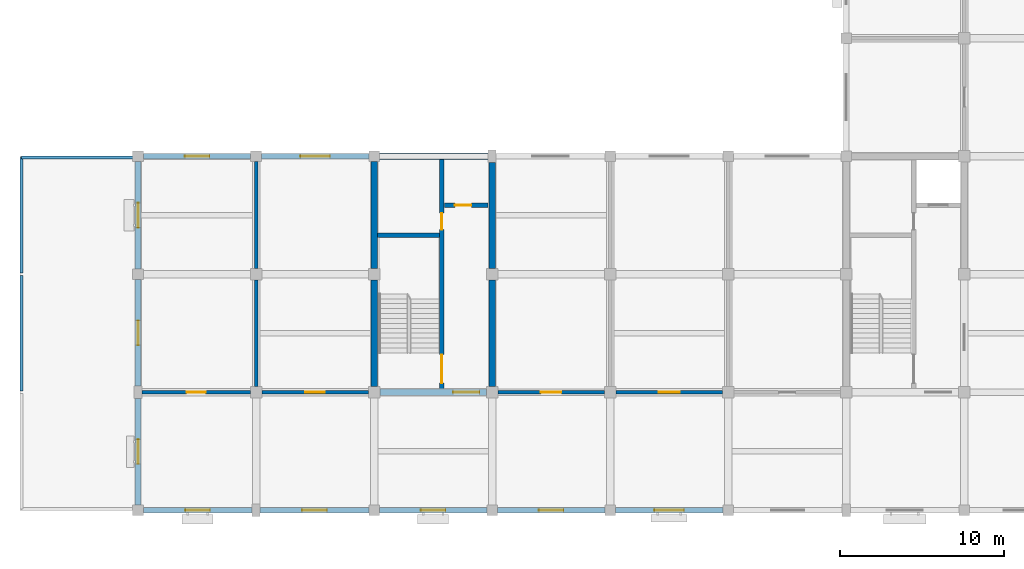
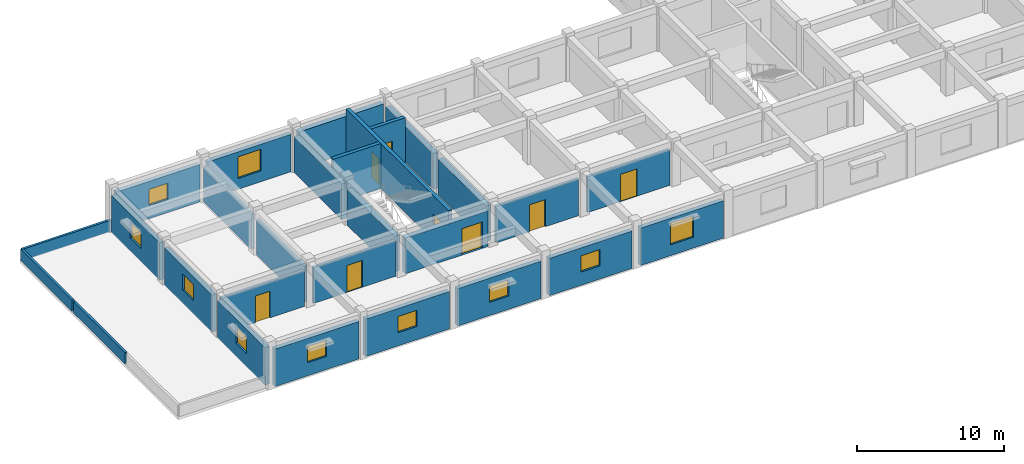
# One storey, part 4 of 16: 28 walls, 10 windows, 8 doors, 18 openings.
"""IFC4 building model written with IfcOpenShell, lengths in metres."""

from ifc_helpers import new_model, si_unit, direction, frame, frame_2d, origin, place, context, subcontext, project, spatial, rectangle, extrude, material, layer, layer_set, type_object, element, fill, save


model = new_model("IFC4")

# Units and contexts
model_context = context("Model", 3, precision=1e-05, world=origin(), true_north=direction((0.0, 1.0)))
body_context = subcontext(model_context, "Body", "Model", "MODEL_VIEW")
ifc_project = project(units=[si_unit("LENGTHUNIT", "METRE"), si_unit("AREAUNIT", "SQUARE_METRE"), si_unit("VOLUMEUNIT", "CUBIC_METRE"), si_unit("PLANEANGLEUNIT", "RADIAN"), si_unit("MASSUNIT", "GRAM", prefix="KILO")], contexts=[model_context])

# Site, building, storey
site_placement = place(None, origin())
site = spatial("IfcSite", under=ifc_project, at=site_placement, CompositionType="ELEMENT")
building_placement = place(site_placement, origin())
building = spatial("IfcBuilding", under=site, at=building_placement, Name="Cendaluz Park School", CompositionType="ELEMENT")
storey_placement = place(building_placement, frame((0.0, 0.0, 22.60009765625)))
storey = spatial("IfcBuildingStorey", under=building, at=storey_placement, Name="L05", CompositionType="ELEMENT", Elevation=22.60009765625)

# Wall, opening, door
ifc_material_1 = material(Name="Gypsum Plasterboard on Cold-Formed Stud", Category="gypsum")
ifc_layer_1 = layer(ifc_material_1, 0.199951171875)
ifc_layer_set_1 = layer_set([ifc_layer_1], Name="Gypsum Plasterboard on Cold-Formed Stud")
wall_type_1 = type_object("IfcWallType", Name="W-AC20", PredefinedType="PARTITIONING", material=ifc_layer_set_1)
wall_1_placement = place(storey_placement, frame((50.75, 14.39990234375, 0.0), z_axis=(0.0, 0.0, 1.0), x_axis=(1.0, 0.0, 0.0)))
wall_1 = element("IfcWall", 1, at=wall_1_placement, inside=storey, type_object=wall_type_1, Name="WL-FF-BQ5", PredefinedType="PARTITIONING", context=body_context, shape_type="SweptSolid", body=[
    extrude(rectangle(XDim=6.5, YDim=0.199951171875, at=frame_2d((3.25, 0.0))), origin(), (0.0, 0.0, 1.0), 2.97998046875),
])
opening_1_placement = place(wall_1_placement, frame((2.610107421875, 0.0, 0.0)))
opening_1 = element("IfcOpeningElement", 2, at=opening_1_placement, cuts=wall_1, Name="Opening DCL-10", PredefinedType="OPENING", context=body_context, shape_type="SweptSolid", body=[
    extrude(rectangle(XDim=1.280029296875, YDim=2.280029296875, at=frame_2d((0.64013671875, 1.14013671875))), frame((0.0, 0.112060546875, 0.0), z_axis=(0.0, -1.0, 0.0), x_axis=(1.0, 0.0, 0.0)), (0.0, 0.0, 1.0), 0.223876953125),
])
ifc_material_2 = material(Name="Solid Core Hardwood", Category="wood")
door_type_1 = type_object("IfcDoorType", Name="DCL-10", OperationType="NOTDEFINED", PredefinedType="DOOR", material=ifc_material_2)
door_1_placement = place(opening_1_placement, origin())
door_1 = element("IfcDoor", 3, at=door_1_placement, inside=storey, type_object=door_type_1, Name="D-L05-030", OperationType="SINGLE_SWING_RIGHT", OverallHeight=2.280029296875, OverallWidth=1.280029296875, PredefinedType="DOOR", context=body_context, shape_type="SweptSolid", body=[
    extrude(rectangle(XDim=1.280029296875, YDim=2.280029296875, at=frame_2d((0.64013671875, 1.14013671875))), frame((0.0, 0.02490234375, 0.0), z_axis=(0.0, -1.0, 0.0), x_axis=(1.0, 0.0, 0.0)), (0.0, 0.0, 1.0), 0.050048828125),
])
fill(opening_1, door_1)

# Wall, opening, window
ifc_material_3 = material(Name="Concrete C40/50 precast", Category="concrete")
ifc_layer_2 = layer(ifc_material_3, 0.340087890625)
ifc_layer_set_2 = layer_set([ifc_layer_2], Name="Concrete C40/50 precast")
wall_type_2 = type_object("IfcWallType", Name="W-EX34", PredefinedType="SOLIDWALL", material=ifc_layer_set_2)
wall_2_placement = place(storey_placement, frame((21.925048828125, 7.199951171875, 0.0), z_axis=(0.0, 0.0, 1.0), x_axis=(1.0, 0.0, 0.0)))
wall_2 = element("IfcWall", 4, at=wall_2_placement, inside=storey, type_object=wall_type_2, Name="WL-FF-AA0", PredefinedType="SOLIDWALL", context=body_context, shape_type="SweptSolid", body=[
    extrude(rectangle(XDim=6.625, YDim=0.340087890625, at=frame_2d((3.3125, 0.0))), origin(), (0.0, 0.0, 1.0), 3.119873046875),
])
opening_2_placement = place(wall_2_placement, frame((2.5625, 0.0, 1.10009765625)))
opening_2 = element("IfcOpeningElement", 5, at=opening_2_placement, cuts=wall_2, Name="Opening WN-20", PredefinedType="OPENING", context=body_context, shape_type="SweptSolid", body=[
    extrude(rectangle(XDim=1.5, YDim=1.35009765625, at=frame_2d((0.75, 0.675048828125))), frame((0.0, 0.18212890625, 0.0), z_axis=(0.0, -1.0, 0.0), x_axis=(1.0, 0.0, 0.0)), (0.0, 0.0, 1.0), 0.364013671875),
])
ifc_material_4 = material(Name="Tempered Low-E Double Glazing", Category="glass")
window_type_1 = type_object("IfcWindowType", Name="WN-20", PartitioningType="SINGLE_PANEL", PredefinedType="WINDOW", material=ifc_material_4)
window_1_placement = place(opening_2_placement, origin())
window_1 = element("IfcWindow", 6, at=window_1_placement, inside=storey, type_object=window_type_1, Name="WN-L05-001", OverallHeight=1.35009765625, OverallWidth=1.5, PartitioningType="SINGLE_PANEL", PredefinedType="WINDOW", context=body_context, shape_type="SweptSolid", body=[
    extrude(rectangle(XDim=1.5, YDim=1.35009765625, at=frame_2d((0.75, 0.675048828125))), frame((0.0, 0.030029296875, 0.0), z_axis=(0.0, -1.0, 0.0), x_axis=(1.0, 0.0, 0.0)), (0.0, 0.0, 1.0), 0.06005859375),
])
fill(opening_2, window_1)

wall_3_placement = place(storey_placement, frame((21.60009765625, 7.52490234375, 0.0), z_axis=(0.0, 0.0, 1.0), x_axis=(0.0, 1.0, 0.0)))
wall_3 = element("IfcWall", 7, at=wall_3_placement, inside=storey, type_object=wall_type_2, Name="WL-FF-AA1", PredefinedType="SOLIDWALL", context=body_context, shape_type="SweptSolid", body=[
    extrude(rectangle(XDim=6.5, YDim=0.340087890625, at=frame_2d((3.25, 0.0))), origin(), (0.0, 0.0, 1.0), 3.119873046875),
])
opening_3_placement = place(wall_3_placement, frame((2.5, 0.0, 1.10009765625)))
opening_3 = element("IfcOpeningElement", 8, at=opening_3_placement, cuts=wall_3, Name="Opening WN-20", PredefinedType="OPENING", context=body_context, shape_type="SweptSolid", body=[
    extrude(rectangle(XDim=1.5, YDim=1.35009765625, at=frame_2d((0.75, 0.675048828125))), frame((0.0, 0.18212890625, 0.0), z_axis=(0.0, -1.0, 0.0), x_axis=(1.0, 0.0, 0.0)), (0.0, 0.0, 1.0), 0.364013671875),
])
window_2_placement = place(opening_3_placement, origin())
window_2 = element("IfcWindow", 9, at=window_2_placement, inside=storey, type_object=window_type_1, Name="WN-L05-002", OverallHeight=1.35009765625, OverallWidth=1.5, PartitioningType="SINGLE_PANEL", PredefinedType="WINDOW", context=body_context, shape_type="SweptSolid", body=[
    extrude(rectangle(XDim=1.5, YDim=1.35009765625, at=frame_2d((0.75, 0.675048828125))), frame((0.0, 0.030029296875, 0.0), z_axis=(0.0, -1.0, 0.0), x_axis=(1.0, 0.0, 0.0)), (0.0, 0.0, 1.0), 0.06005859375),
])
fill(opening_3, window_2)

wall_4_placement = place(storey_placement, frame((21.60009765625, 14.77490234375, 0.0), z_axis=(0.0, 0.0, 1.0), x_axis=(0.0, 1.0, 0.0)))
wall_4 = element("IfcWall", 10, at=wall_4_placement, inside=storey, type_object=wall_type_2, Name="WL-FF-AA2", PredefinedType="SOLIDWALL", context=body_context, shape_type="SweptSolid", body=[
    extrude(rectangle(XDim=6.5, YDim=0.340087890625, at=frame_2d((3.25, 0.0))), origin(), (0.0, 0.0, 1.0), 3.119873046875),
])
opening_4_placement = place(wall_4_placement, frame((2.5, 0.0, 1.10009765625)))
opening_4 = element("IfcOpeningElement", 11, at=opening_4_placement, cuts=wall_4, Name="Opening WN-20", PredefinedType="OPENING", context=body_context, shape_type="SweptSolid", body=[
    extrude(rectangle(XDim=1.5, YDim=1.35009765625, at=frame_2d((0.75, 0.675048828125))), frame((0.0, 0.18212890625, 0.0), z_axis=(0.0, -1.0, 0.0), x_axis=(1.0, 0.0, 0.0)), (0.0, 0.0, 1.0), 0.364013671875),
])
window_3_placement = place(opening_4_placement, origin())
window_3 = element("IfcWindow", 12, at=window_3_placement, inside=storey, type_object=window_type_1, Name="WN-L05-003", OverallHeight=1.35009765625, OverallWidth=1.5, PartitioningType="SINGLE_PANEL", PredefinedType="WINDOW", context=body_context, shape_type="SweptSolid", body=[
    extrude(rectangle(XDim=1.5, YDim=1.35009765625, at=frame_2d((0.75, 0.675048828125))), frame((0.0, 0.030029296875, 0.0), z_axis=(0.0, -1.0, 0.0), x_axis=(1.0, 0.0, 0.0)), (0.0, 0.0, 1.0), 0.06005859375),
])
fill(opening_4, window_3)

wall_5_placement = place(storey_placement, frame((21.925048828125, 28.800048828125, 0.0), z_axis=(0.0, 0.0, 1.0), x_axis=(1.0, 0.0, 0.0)))
wall_5 = element("IfcWall", 13, at=wall_5_placement, inside=storey, type_object=wall_type_2, Name="WL-FF-AA3", PredefinedType="SOLIDWALL", context=body_context, shape_type="SweptSolid", body=[
    extrude(rectangle(XDim=6.550048828125, YDim=0.340087890625, at=frame_2d((3.27490234375, 0.0))), origin(), (0.0, 0.0, 1.0), 3.119873046875),
])
opening_5_placement = place(wall_5_placement, frame((2.52490234375, 0.0, 1.10009765625)))
opening_5 = element("IfcOpeningElement", 14, at=opening_5_placement, cuts=wall_5, Name="Opening WN-20", PredefinedType="OPENING", context=body_context, shape_type="SweptSolid", body=[
    extrude(rectangle(XDim=1.5, YDim=1.35009765625, at=frame_2d((0.75, 0.675048828125))), frame((0.0, 0.18212890625, 0.0), z_axis=(0.0, -1.0, 0.0), x_axis=(1.0, 0.0, 0.0)), (0.0, 0.0, 1.0), 0.364013671875),
])
window_4_placement = place(opening_5_placement, origin())
window_4 = element("IfcWindow", 15, at=window_4_placement, inside=storey, type_object=window_type_1, Name="WN-L05-004", OverallHeight=1.35009765625, OverallWidth=1.5, PartitioningType="SINGLE_PANEL", PredefinedType="WINDOW", context=body_context, shape_type="SweptSolid", body=[
    extrude(rectangle(XDim=1.5, YDim=1.35009765625, at=frame_2d((0.75, 0.675048828125))), frame((0.0, 0.030029296875, 0.0), z_axis=(0.0, -1.0, 0.0), x_axis=(1.0, 0.0, 0.0)), (0.0, 0.0, 1.0), 0.06005859375),
])
fill(opening_5, window_4)

wall_6_placement = place(storey_placement, frame((21.60009765625, 21.925048828125, 0.0), z_axis=(0.0, 0.0, 1.0), x_axis=(0.0, 1.0, 0.0)))
wall_6 = element("IfcWall", 16, at=wall_6_placement, inside=storey, type_object=wall_type_2, Name="WL-FF-AA4", PredefinedType="SOLIDWALL", context=body_context, shape_type="SweptSolid", body=[
    extrude(rectangle(XDim=6.550048828125, YDim=0.340087890625, at=frame_2d((3.27490234375, 0.0))), origin(), (0.0, 0.0, 1.0), 3.119873046875),
])
opening_6_placement = place(wall_6_placement, frame((2.52490234375, 0.0, 1.10009765625)))
opening_6 = element("IfcOpeningElement", 17, at=opening_6_placement, cuts=wall_6, Name="Opening WN-20", PredefinedType="OPENING", context=body_context, shape_type="SweptSolid", body=[
    extrude(rectangle(XDim=1.5, YDim=1.35009765625, at=frame_2d((0.75, 0.675048828125))), frame((0.0, 0.18212890625, 0.0), z_axis=(0.0, -1.0, 0.0), x_axis=(1.0, 0.0, 0.0)), (0.0, 0.0, 1.0), 0.364013671875),
])
window_5_placement = place(opening_6_placement, origin())
window_5 = element("IfcWindow", 18, at=window_5_placement, inside=storey, type_object=window_type_1, Name="WN-L05-005", OverallHeight=1.35009765625, OverallWidth=1.5, PartitioningType="SINGLE_PANEL", PredefinedType="WINDOW", context=body_context, shape_type="SweptSolid", body=[
    extrude(rectangle(XDim=1.5, YDim=1.35009765625, at=frame_2d((0.75, 0.675048828125))), frame((0.0, 0.030029296875, 0.0), z_axis=(0.0, -1.0, 0.0), x_axis=(1.0, 0.0, 0.0)), (0.0, 0.0, 1.0), 0.06005859375),
])
fill(opening_6, window_5)

wall_7_placement = place(storey_placement, frame((29.050048828125, 7.199951171875, 0.0), z_axis=(0.0, 0.0, 1.0), x_axis=(1.0, 0.0, 0.0)))
wall_7 = element("IfcWall", 19, at=wall_7_placement, inside=storey, type_object=wall_type_2, Name="WL-FF-AA5", PredefinedType="SOLIDWALL", context=body_context, shape_type="SweptSolid", body=[
    extrude(rectangle(XDim=6.625, YDim=0.340087890625, at=frame_2d((3.3125, 0.0))), origin(), (0.0, 0.0, 1.0), 3.119873046875),
])
opening_7_placement = place(wall_7_placement, frame((2.5625, 0.0, 1.10009765625)))
opening_7 = element("IfcOpeningElement", 20, at=opening_7_placement, cuts=wall_7, Name="Opening WN-20", PredefinedType="OPENING", context=body_context, shape_type="SweptSolid", body=[
    extrude(rectangle(XDim=1.5, YDim=1.35009765625, at=frame_2d((0.75, 0.675048828125))), frame((0.0, 0.18212890625, 0.0), z_axis=(0.0, -1.0, 0.0), x_axis=(1.0, 0.0, 0.0)), (0.0, 0.0, 1.0), 0.364013671875),
])
window_6_placement = place(opening_7_placement, origin())
window_6 = element("IfcWindow", 21, at=window_6_placement, inside=storey, type_object=window_type_1, Name="WN-L05-006", OverallHeight=1.35009765625, OverallWidth=1.5, PartitioningType="SINGLE_PANEL", PredefinedType="WINDOW", context=body_context, shape_type="SweptSolid", body=[
    extrude(rectangle(XDim=1.5, YDim=1.35009765625, at=frame_2d((0.75, 0.675048828125))), frame((0.0, 0.030029296875, 0.0), z_axis=(0.0, -1.0, 0.0), x_axis=(1.0, 0.0, 0.0)), (0.0, 0.0, 1.0), 0.06005859375),
])
fill(opening_7, window_6)

wall_8_placement = place(storey_placement, frame((29.125, 28.800048828125, 0.0), z_axis=(0.0, 0.0, 1.0), x_axis=(1.0, 0.0, 0.0)))
wall_8 = element("IfcWall", 22, at=wall_8_placement, inside=storey, type_object=wall_type_2, Name="WL-FF-AA6", PredefinedType="SOLIDWALL", context=body_context, shape_type="SweptSolid", body=[
    extrude(rectangle(XDim=6.550048828125, YDim=0.340087890625, at=frame_2d((3.27490234375, 0.0))), origin(), (0.0, 0.0, 1.0), 3.119873046875),
])
opening_8_placement = place(wall_8_placement, frame((2.375, 0.0, 0.89990234375)))
opening_8 = element("IfcOpeningElement", 23, at=opening_8_placement, cuts=wall_8, Name="Opening WN-01", PredefinedType="OPENING", context=body_context, shape_type="SweptSolid", body=[
    extrude(rectangle(XDim=1.800048828125, YDim=1.800048828125, at=frame_2d((0.89990234375, 0.89990234375))), frame((0.0, 0.18212890625, 0.0), z_axis=(0.0, -1.0, 0.0), x_axis=(1.0, 0.0, 0.0)), (0.0, 0.0, 1.0), 0.364013671875),
])
window_type_2 = type_object("IfcWindowType", Name="WN-01", PartitioningType="SINGLE_PANEL", PredefinedType="WINDOW", material=ifc_material_4)
window_7_placement = place(opening_8_placement, origin())
window_7 = element("IfcWindow", 24, at=window_7_placement, inside=storey, type_object=window_type_2, Name="WN-L05-007", OverallHeight=1.800048828125, OverallWidth=1.800048828125, PartitioningType="SINGLE_PANEL", PredefinedType="WINDOW", context=body_context, shape_type="SweptSolid", body=[
    extrude(rectangle(XDim=1.800048828125, YDim=1.800048828125, at=frame_2d((0.89990234375, 0.89990234375))), frame((0.0, 0.030029296875, 0.0), z_axis=(0.0, -1.0, 0.0), x_axis=(1.0, 0.0, 0.0)), (0.0, 0.0, 1.0), 0.06005859375),
])
fill(opening_8, window_7)

wall_9_placement = place(storey_placement, frame((36.324951171875, 7.199951171875, 0.0), z_axis=(0.0, 0.0, 1.0), x_axis=(1.0, 0.0, 0.0)))
wall_9 = element("IfcWall", 25, at=wall_9_placement, inside=storey, type_object=wall_type_2, Name="WL-FF-AA7", PredefinedType="SOLIDWALL", context=body_context, shape_type="SweptSolid", body=[
    extrude(rectangle(XDim=6.550048828125, YDim=0.340087890625, at=frame_2d((3.27490234375, 0.0))), origin(), (0.0, 0.0, 1.0), 3.119873046875),
])
opening_9_placement = place(wall_9_placement, frame((2.52490234375, 0.0, 1.10009765625)))
opening_9 = element("IfcOpeningElement", 26, at=opening_9_placement, cuts=wall_9, Name="Opening WN-20", PredefinedType="OPENING", context=body_context, shape_type="SweptSolid", body=[
    extrude(rectangle(XDim=1.5, YDim=1.35009765625, at=frame_2d((0.75, 0.675048828125))), frame((0.0, 0.18212890625, 0.0), z_axis=(0.0, -1.0, 0.0), x_axis=(1.0, 0.0, 0.0)), (0.0, 0.0, 1.0), 0.364013671875),
])
window_8_placement = place(opening_9_placement, origin())
window_8 = element("IfcWindow", 27, at=window_8_placement, inside=storey, type_object=window_type_1, Name="WN-L05-008", OverallHeight=1.35009765625, OverallWidth=1.5, PartitioningType="SINGLE_PANEL", PredefinedType="WINDOW", context=body_context, shape_type="SweptSolid", body=[
    extrude(rectangle(XDim=1.5, YDim=1.35009765625, at=frame_2d((0.75, 0.675048828125))), frame((0.0, 0.030029296875, 0.0), z_axis=(0.0, -1.0, 0.0), x_axis=(1.0, 0.0, 0.0)), (0.0, 0.0, 1.0), 0.06005859375),
])
fill(opening_9, window_8)

wall_10_placement = place(storey_placement, frame((43.52490234375, 7.199951171875, 0.0), z_axis=(0.0, 0.0, 1.0), x_axis=(1.0, 0.0, 0.0)))
wall_10 = element("IfcWall", 28, at=wall_10_placement, inside=storey, type_object=wall_type_2, Name="WL-FF-AA8", PredefinedType="SOLIDWALL", context=body_context, shape_type="SweptSolid", body=[
    extrude(rectangle(XDim=6.550048828125, YDim=0.340087890625, at=frame_2d((3.27490234375, 0.0))), origin(), (0.0, 0.0, 1.0), 3.119873046875),
])
opening_10_placement = place(wall_10_placement, frame((2.52490234375, 0.0, 1.10009765625)))
opening_10 = element("IfcOpeningElement", 29, at=opening_10_placement, cuts=wall_10, Name="Opening WN-20", PredefinedType="OPENING", context=body_context, shape_type="SweptSolid", body=[
    extrude(rectangle(XDim=1.5, YDim=1.35009765625, at=frame_2d((0.75, 0.675048828125))), frame((0.0, 0.18212890625, 0.0), z_axis=(0.0, -1.0, 0.0), x_axis=(1.0, 0.0, 0.0)), (0.0, 0.0, 1.0), 0.364013671875),
])
window_9_placement = place(opening_10_placement, origin())
window_9 = element("IfcWindow", 30, at=window_9_placement, inside=storey, type_object=window_type_1, Name="WN-L05-009", OverallHeight=1.35009765625, OverallWidth=1.5, PartitioningType="SINGLE_PANEL", PredefinedType="WINDOW", context=body_context, shape_type="SweptSolid", body=[
    extrude(rectangle(XDim=1.5, YDim=1.35009765625, at=frame_2d((0.75, 0.675048828125))), frame((0.0, 0.030029296875, 0.0), z_axis=(0.0, -1.0, 0.0), x_axis=(1.0, 0.0, 0.0)), (0.0, 0.0, 1.0), 0.06005859375),
])
fill(opening_10, window_9)

wall_11_placement = place(storey_placement, frame((50.72509765625, 7.199951171875, 0.0), z_axis=(0.0, 0.0, 1.0), x_axis=(1.0, 0.0, 0.0)))
wall_11 = element("IfcWall", 31, at=wall_11_placement, inside=storey, type_object=wall_type_2, Name="WL-FF-AB0", PredefinedType="SOLIDWALL", context=body_context, shape_type="SweptSolid", body=[
    extrude(rectangle(XDim=6.5498046875, YDim=0.340087890625, at=frame_2d((3.27490234375, 0.0))), origin(), (0.0, 0.0, 1.0), 3.119873046875),
])
opening_11_placement = place(wall_11_placement, frame((2.375, 0.0, 0.89990234375)))
opening_11 = element("IfcOpeningElement", 32, at=opening_11_placement, cuts=wall_11, Name="Opening WN-01", PredefinedType="OPENING", context=body_context, shape_type="SweptSolid", body=[
    extrude(rectangle(XDim=1.800048828125, YDim=1.800048828125, at=frame_2d((0.89990234375, 0.89990234375))), frame((0.0, 0.18212890625, 0.0), z_axis=(0.0, -1.0, 0.0), x_axis=(1.0, 0.0, 0.0)), (0.0, 0.0, 1.0), 0.364013671875),
])
window_10_placement = place(opening_11_placement, origin())
window_10 = element("IfcWindow", 33, at=window_10_placement, inside=storey, type_object=window_type_2, Name="WN-L05-011", OverallHeight=1.800048828125, OverallWidth=1.800048828125, PartitioningType="SINGLE_PANEL", PredefinedType="WINDOW", context=body_context, shape_type="SweptSolid", body=[
    extrude(rectangle(XDim=1.800048828125, YDim=1.800048828125, at=frame_2d((0.89990234375, 0.89990234375))), frame((0.0, 0.030029296875, 0.0), z_axis=(0.0, -1.0, 0.0), x_axis=(1.0, 0.0, 0.0)), (0.0, 0.0, 1.0), 0.06005859375),
])
fill(opening_11, window_10)

# Wall, openings, doors
ifc_material_5 = material(Name="Concrete C40/50", Category="concrete")
ifc_layer_3 = layer(ifc_material_5, 0.280029296875)
ifc_layer_set_3 = layer_set([ifc_layer_3], Name="Concrete C40/50")
wall_type_3 = type_object("IfcWallType", Name="W-FW28", PredefinedType="SHEAR", material=ifc_layer_set_3)
wall_12_placement = place(storey_placement, frame((40.1201171875, 14.60009765625, 0.0), z_axis=(0.0, 0.0, 1.0), x_axis=(0.0, 1.0, 0.0)))
wall_12 = element("IfcWall", 34, at=wall_12_placement, inside=storey, type_object=wall_type_3, Name="WL-FF-BO6", PredefinedType="SHEAR", context=body_context, shape_type="SweptSolid", body=[
    extrude(rectangle(XDim=14.0, YDim=0.280029296875, at=frame_2d((7.0, 0.0))), origin(), (0.0, 0.0, 1.0), 3.75),
])
opening_12_placement = place(wall_12_placement, frame((0.35009765625, 0.0, 0.0)))
opening_12 = element("IfcOpeningElement", 35, at=opening_12_placement, cuts=wall_12, Name="Opening DST-03", PredefinedType="OPENING", context=body_context, shape_type="SweptSolid", body=[
    extrude(rectangle(XDim=1.75, YDim=2.14990234375, at=frame_2d((0.875, 1.074951171875))), frame((0.0, 0.152099609375, 0.0), z_axis=(0.0, -1.0, 0.0), x_axis=(1.0, 0.0, 0.0)), (0.0, 0.0, 1.0), 0.303955078125),
])
opening_13_placement = place(wall_12_placement, frame((9.719970703125, 0.0, 0.0)))
opening_13 = element("IfcOpeningElement", 36, at=opening_13_placement, cuts=wall_12, Name="Opening DFC-01", PredefinedType="OPENING", context=body_context, shape_type="SweptSolid", body=[
    extrude(rectangle(XDim=1.0, YDim=2.14990234375, at=frame_2d((0.5, 1.074951171875))), frame((0.0, 0.152099609375, 0.0), z_axis=(0.0, -1.0, 0.0), x_axis=(1.0, 0.0, 0.0)), (0.0, 0.0, 1.0), 0.303955078125),
])
door_type_2 = type_object("IfcDoorType", Name="DFC-01", OperationType="NOTDEFINED", PredefinedType="DOOR", material=ifc_material_2)
door_2_placement = place(opening_13_placement, origin())
door_2 = element("IfcDoor", 37, at=door_2_placement, inside=storey, type_object=door_type_2, Name="D-L05-021", OperationType="SINGLE_SWING_LEFT", OverallHeight=2.14990234375, OverallWidth=1.0, PredefinedType="DOOR", context=body_context, shape_type="SweptSolid", body=[
    extrude(rectangle(XDim=1.0, YDim=2.14990234375, at=frame_2d((0.5, 1.074951171875))), frame((0.0, 0.02490234375, 0.0), z_axis=(0.0, -1.0, 0.0), x_axis=(1.0, 0.0, 0.0)), (0.0, 0.0, 1.0), 0.050048828125),
])
fill(opening_13, door_2)
door_type_3 = type_object("IfcDoorType", Name="DST-03", OperationType="DOUBLE_DOOR_SINGLE_SWING", PredefinedType="DOOR", material=ifc_material_2)
door_3_placement = place(opening_12_placement, origin())
door_3 = element("IfcDoor", 38, at=door_3_placement, inside=storey, type_object=door_type_3, Name="D-L05-020", OperationType="DOUBLE_DOOR_SINGLE_SWING", OverallHeight=2.14990234375, OverallWidth=1.75, PredefinedType="DOOR", context=body_context, shape_type="SweptSolid", body=[
    extrude(rectangle(XDim=1.75, YDim=2.14990234375, at=frame_2d((0.875, 1.074951171875))), frame((0.0, 0.02490234375, 0.0), z_axis=(0.0, -1.0, 0.0), x_axis=(1.0, 0.0, 0.0)), (0.0, 0.0, 1.0), 0.050048828125),
])
fill(opening_12, door_3)

# Wall
wall_13_placement = place(storey_placement, frame((36.199951171875, 23.97998046875, 0.0), z_axis=(0.0, 0.0, 1.0), x_axis=(1.0, 0.0, 0.0)))
element("IfcWall", 39, at=wall_13_placement, inside=storey, type_object=wall_type_3, Name="WL-FF-BO7", PredefinedType="SHEAR", context=body_context, shape_type="SweptSolid", body=[
    extrude(rectangle(XDim=3.780029296875, YDim=0.280029296875, at=frame_2d((1.89013671875, 0.0))), origin(), (0.0, 0.0, 1.0), 3.75),
])

# Wall, opening, door
wall_14_placement = place(storey_placement, frame((40.280029296875, 25.800048828125, 0.0), z_axis=(0.0, 0.0, 1.0), x_axis=(1.0, 0.0, 0.0)))
wall_14 = element("IfcWall", 40, at=wall_14_placement, inside=storey, type_object=wall_type_3, Name="WL-FF-BO8", PredefinedType="SHEAR", context=body_context, shape_type="SweptSolid", body=[
    extrude(rectangle(XDim=2.679931640625, YDim=0.280029296875, at=frame_2d((1.33984375, 0.0))), origin(), (0.0, 0.0, 1.0), 3.75),
])
opening_14_placement = place(wall_14_placement, frame((0.64990234375, 0.0, 0.0)))
opening_14 = element("IfcOpeningElement", 41, at=opening_14_placement, cuts=wall_14, Name="Opening DFC-01", PredefinedType="OPENING", context=body_context, shape_type="SweptSolid", body=[
    extrude(rectangle(XDim=1.0, YDim=2.14990234375, at=frame_2d((0.5, 1.074951171875))), frame((0.0, 0.152099609375, 0.0), z_axis=(0.0, -1.0, 0.0), x_axis=(1.0, 0.0, 0.0)), (0.0, 0.0, 1.0), 0.303955078125),
])
door_4_placement = place(opening_14_placement, frame((1.0, 0.0, 0.0), z_axis=(0.0, 0.0, 1.0), x_axis=(-1.0, 0.0, 0.0)))
door_4 = element("IfcDoor", 42, at=door_4_placement, inside=storey, type_object=door_type_2, Name="D-L05-022", OperationType="SINGLE_SWING_RIGHT", OverallHeight=2.14990234375, OverallWidth=1.0, PredefinedType="DOOR", context=body_context, shape_type="SweptSolid", body=[
    extrude(rectangle(XDim=1.0, YDim=2.14990234375, at=frame_2d((0.5, 1.074951171875))), frame((0.0, 0.02490234375, 0.0), z_axis=(0.0, -1.0, 0.0), x_axis=(1.0, 0.0, 0.0)), (0.0, 0.0, 1.0), 0.050048828125),
])
fill(opening_14, door_4)

ifc_layer_4 = layer(ifc_material_1, 0.219970703125)
ifc_layer_set_4 = layer_set([ifc_layer_4], Name="Gypsum Plasterboard on Cold-Formed Stud")
wall_type_4 = type_object("IfcWallType", Name="W-LB22", PredefinedType="PARTITIONING", material=ifc_layer_set_4)
wall_15_placement = place(storey_placement, frame((21.85009765625, 14.39990234375, 0.0), z_axis=(0.0, 0.0, 1.0), x_axis=(1.0, 0.0, 0.0)))
wall_15 = element("IfcWall", 43, at=wall_15_placement, inside=storey, type_object=wall_type_4, Name="WL-FF-BP8", PredefinedType="PARTITIONING", context=body_context, shape_type="SweptSolid", body=[
    extrude(rectangle(XDim=6.599853515625, YDim=0.219970703125, at=frame_2d((3.2998046875, 0.0))), origin(), (0.0, 0.0, 1.0), 2.97998046875),
])
opening_15_placement = place(wall_15_placement, frame((2.719970703125, 0.0, 0.0)))
opening_15 = element("IfcOpeningElement", 44, at=opening_15_placement, cuts=wall_15, Name="Opening DCL-07", PredefinedType="OPENING", context=body_context, shape_type="SweptSolid", body=[
    extrude(rectangle(XDim=1.159912109375, YDim=2.219970703125, at=frame_2d((0.580078125, 1.10986328125))), frame((0.0, 0.1220703125, 0.0), z_axis=(0.0, -1.0, 0.0), x_axis=(1.0, 0.0, 0.0)), (0.0, 0.0, 1.0), 0.243896484375),
])
door_type_4 = type_object("IfcDoorType", Name="DCL-07", OperationType="NOTDEFINED", PredefinedType="DOOR", material=ifc_material_2)
door_5_placement = place(opening_15_placement, frame((1.159912109375, 0.0, 0.0), z_axis=(0.0, 0.0, 1.0), x_axis=(-1.0, 0.0, 0.0)))
door_5 = element("IfcDoor", 45, at=door_5_placement, inside=storey, type_object=door_type_4, Name="D-L05-027", OperationType="SINGLE_SWING_LEFT", OverallHeight=2.219970703125, OverallWidth=1.159912109375, PredefinedType="DOOR", context=body_context, shape_type="SweptSolid", body=[
    extrude(rectangle(XDim=1.159912109375, YDim=2.219970703125, at=frame_2d((0.580078125, 1.10986328125))), frame((0.0, 0.02490234375, 0.0), z_axis=(0.0, -1.0, 0.0), x_axis=(1.0, 0.0, 0.0)), (0.0, 0.0, 1.0), 0.050048828125),
])
fill(opening_15, door_5)

# Walls
wall_16_placement = place(storey_placement, frame((28.800048828125, 14.75, 0.0), z_axis=(0.0, 0.0, 1.0), x_axis=(0.0, 1.0, 0.0)))
element("IfcWall", 46, at=wall_16_placement, inside=storey, type_object=wall_type_4, Name="WL-FF-BP9", PredefinedType="PARTITIONING", context=body_context, shape_type="SweptSolid", body=[
    extrude(rectangle(XDim=6.5, YDim=0.219970703125, at=frame_2d((3.25, 0.0))), origin(), (0.0, 0.0, 1.0), 2.97998046875),
])
wall_17_placement = place(storey_placement, frame((28.800048828125, 21.949951171875, 0.0), z_axis=(0.0, 0.0, 1.0), x_axis=(0.0, 1.0, 0.0)))
element("IfcWall", 47, at=wall_17_placement, inside=storey, type_object=wall_type_4, Name="WL-FF-BQ0", PredefinedType="PARTITIONING", context=body_context, shape_type="SweptSolid", body=[
    extrude(rectangle(XDim=6.525146484375, YDim=0.219970703125, at=frame_2d((3.2626953125, 0.0))), origin(), (0.0, 0.0, 1.0), 2.97998046875),
])

# Wall, opening, door
wall_18_placement = place(storey_placement, frame((29.14990234375, 14.39990234375, 0.0), z_axis=(0.0, 0.0, 1.0), x_axis=(1.0, 0.0, 0.0)))
wall_18 = element("IfcWall", 48, at=wall_18_placement, inside=storey, type_object=wall_type_4, Name="WL-FF-BQ1", PredefinedType="PARTITIONING", context=body_context, shape_type="SweptSolid", body=[
    extrude(rectangle(XDim=6.5, YDim=0.219970703125, at=frame_2d((3.25, 0.0))), origin(), (0.0, 0.0, 1.0), 2.97998046875),
])
opening_16_placement = place(wall_18_placement, frame((2.64990234375, 0.0, 0.0)))
opening_16 = element("IfcOpeningElement", 49, at=opening_16_placement, cuts=wall_18, Name="Opening DCL-08", PredefinedType="OPENING", context=body_context, shape_type="SweptSolid", body=[
    extrude(rectangle(XDim=1.199951171875, YDim=2.239990234375, at=frame_2d((0.60009765625, 1.1201171875))), frame((0.0, 0.1220703125, 0.0), z_axis=(0.0, -1.0, 0.0), x_axis=(1.0, 0.0, 0.0)), (0.0, 0.0, 1.0), 0.243896484375),
])
door_type_5 = type_object("IfcDoorType", Name="DCL-08", OperationType="NOTDEFINED", PredefinedType="DOOR", material=ifc_material_2)
door_6_placement = place(opening_16_placement, frame((1.199951171875, 0.0, 0.0), z_axis=(0.0, 0.0, 1.0), x_axis=(-1.0, 0.0, 0.0)))
door_6 = element("IfcDoor", 50, at=door_6_placement, inside=storey, type_object=door_type_5, Name="D-L05-028", OperationType="SINGLE_SWING_RIGHT", OverallHeight=2.239990234375, OverallWidth=1.199951171875, PredefinedType="DOOR", context=body_context, shape_type="SweptSolid", body=[
    extrude(rectangle(XDim=1.199951171875, YDim=2.239990234375, at=frame_2d((0.60009765625, 1.1201171875))), frame((0.0, 0.02490234375, 0.0), z_axis=(0.0, -1.0, 0.0), x_axis=(1.0, 0.0, 0.0)), (0.0, 0.0, 1.0), 0.050048828125),
])
fill(opening_16, door_6)

wall_19_placement = place(storey_placement, frame((43.550048828125, 14.39990234375, 0.0), z_axis=(0.0, 0.0, 1.0), x_axis=(1.0, 0.0, 0.0)))
wall_19 = element("IfcWall", 51, at=wall_19_placement, inside=storey, type_object=wall_type_4, Name="WL-FF-BQ2", PredefinedType="PARTITIONING", context=body_context, shape_type="SweptSolid", body=[
    extrude(rectangle(XDim=6.5, YDim=0.219970703125, at=frame_2d((3.25, 0.0))), origin(), (0.0, 0.0, 1.0), 3.0498046875),
])
opening_17_placement = place(wall_19_placement, frame((2.6298828125, 0.0, 0.0)))
opening_17 = element("IfcOpeningElement", 52, at=opening_17_placement, cuts=wall_19, Name="Opening DCL-09", PredefinedType="OPENING", context=body_context, shape_type="SweptSolid", body=[
    extrude(rectangle(XDim=1.239990234375, YDim=2.260009765625, at=frame_2d((0.6201171875, 1.1298828125))), frame((0.0, 0.1220703125, 0.0), z_axis=(0.0, -1.0, 0.0), x_axis=(1.0, 0.0, 0.0)), (0.0, 0.0, 1.0), 0.243896484375),
])
door_type_6 = type_object("IfcDoorType", Name="DCL-09", OperationType="NOTDEFINED", PredefinedType="DOOR", material=ifc_material_2)
door_7_placement = place(opening_17_placement, frame((1.239990234375, 0.0, 0.0), z_axis=(0.0, 0.0, 1.0), x_axis=(-1.0, 0.0, 0.0)))
door_7 = element("IfcDoor", 53, at=door_7_placement, inside=storey, type_object=door_type_6, Name="D-L05-029", OperationType="SINGLE_SWING_LEFT", OverallHeight=2.260009765625, OverallWidth=1.239990234375, PredefinedType="DOOR", context=body_context, shape_type="SweptSolid", body=[
    extrude(rectangle(XDim=1.239990234375, YDim=2.260009765625, at=frame_2d((0.6201171875, 1.1298828125))), frame((0.0, 0.02490234375, 0.0), z_axis=(0.0, -1.0, 0.0), x_axis=(1.0, 0.0, 0.0)), (0.0, 0.0, 1.0), 0.050048828125),
])
fill(opening_17, door_7)

# Walls
ifc_layer_5 = layer(ifc_material_3, 0.179931640625)
ifc_layer_set_5 = layer_set([ifc_layer_5], Name="Concrete C40/50 precast")
wall_type_5 = type_object("IfcWallType", Name="W-PR18", PredefinedType="PARAPET", material=ifc_layer_set_5)
for number, where, z_axis, x_axis, name in (
    (54, (14.489990234375, 14.489990234375, 0.0), (0.0, 0.0, 1.0), (0.0, 1.0, 0.0), "WL-FF-AE8"),
    (55, (14.489990234375, 28.7099609375, 0.0), (0.0, 0.0, 1.0), (1.0, 0.0, 0.0), "WL-FF-AE9"),
    (56, (14.489990234375, 21.68994140625, 0.0), (0.0, 0.0, 1.0), (0.0, 1.0, 0.0), "WL-FF-AF0"),
):
    element("IfcWall", number, at=place(storey_placement, frame(where, z_axis=z_axis, x_axis=x_axis)), inside=storey, type_object=wall_type_5, Name=name, PredefinedType="PARAPET", context=body_context, shape_type="SweptSolid", body=[
        extrude(rectangle(XDim=7.02001953125, YDim=0.179931640625, at=frame_2d((3.510009765625, 0.0))), origin(), (0.0, 0.0, 1.0), 0.949951171875),
    ])
ifc_layer_6 = layer(ifc_material_5, 0.39990234375)
ifc_layer_set_6 = layer_set([ifc_layer_6], Name="Concrete C40/50")
wall_type_6 = type_object("IfcWallType", Name="W-SH40", PredefinedType="SHEAR", material=ifc_layer_set_6)
wall_20_placement = place(storey_placement, frame((36.0, 14.75, 0.0), z_axis=(0.0, 0.0, 1.0), x_axis=(0.0, 1.0, 0.0)))
element("IfcWall", 57, at=wall_20_placement, inside=storey, type_object=wall_type_6, Name="WL-FF-BO0", PredefinedType="SHEAR", context=body_context, shape_type="SweptSolid", body=[
    extrude(rectangle(XDim=6.5, YDim=0.39990234375, at=frame_2d((3.25, 0.0))), origin(), (0.0, 0.0, 1.0), 2.97998046875),
])
wall_21_placement = place(storey_placement, frame((36.0, 21.949951171875, 0.0), z_axis=(0.0, 0.0, 1.0), x_axis=(0.0, 1.0, 0.0)))
element("IfcWall", 58, at=wall_21_placement, inside=storey, type_object=wall_type_6, Name="WL-FF-BO1", PredefinedType="SHEAR", context=body_context, shape_type="SweptSolid", body=[
    extrude(rectangle(XDim=6.525146484375, YDim=0.39990234375, at=frame_2d((3.2626953125, 0.0))), origin(), (0.0, 0.0, 1.0), 2.97998046875),
])
wall_22_placement = place(storey_placement, frame((43.199951171875, 14.75, 0.0), z_axis=(0.0, 0.0, 1.0), x_axis=(0.0, 1.0, 0.0)))
element("IfcWall", 59, at=wall_22_placement, inside=storey, type_object=wall_type_6, Name="WL-FF-BO2", PredefinedType="SHEAR", context=body_context, shape_type="SweptSolid", body=[
    extrude(rectangle(XDim=6.5, YDim=0.39990234375, at=frame_2d((3.25, 0.0))), origin(), (0.0, 0.0, 1.0), 2.97998046875),
])
wall_23_placement = place(storey_placement, frame((43.199951171875, 21.949951171875, 0.0), z_axis=(0.0, 0.0, 1.0), x_axis=(0.0, 1.0, 0.0)))
element("IfcWall", 60, at=wall_23_placement, inside=storey, type_object=wall_type_6, Name="WL-FF-BO3", PredefinedType="SHEAR", context=body_context, shape_type="SweptSolid", body=[
    extrude(rectangle(XDim=6.47509765625, YDim=0.39990234375, at=frame_2d((3.237548828125, 0.0))), origin(), (0.0, 0.0, 1.0), 2.97998046875),
])

# Wall, opening, door
wall_24_placement = place(storey_placement, frame((36.35009765625, 14.39990234375, 0.0), z_axis=(0.0, 0.0, 1.0), x_axis=(1.0, 0.0, 0.0)))
wall_24 = element("IfcWall", 61, at=wall_24_placement, inside=storey, type_object=wall_type_6, Name="WL-FF-BO4", PredefinedType="SHEAR", context=body_context, shape_type="SweptSolid", body=[
    extrude(rectangle(XDim=6.5, YDim=0.39990234375, at=frame_2d((3.25, 0.0))), origin(), (0.0, 0.0, 1.0), 2.97998046875),
])
opening_18_placement = place(wall_24_placement, frame((4.469970703125, 0.0, 0.0)))
opening_18 = element("IfcOpeningElement", 62, at=opening_18_placement, cuts=wall_24, Name="Opening DLB-01", PredefinedType="OPENING", context=body_context, shape_type="SweptSolid", body=[
    extrude(rectangle(XDim=1.60009765625, YDim=2.199951171875, at=frame_2d((0.800048828125, 1.10009765625))), frame((0.0, 0.2119140625, 0.0), z_axis=(0.0, -1.0, 0.0), x_axis=(1.0, 0.0, 0.0)), (0.0, 0.0, 1.0), 0.423828125),
])
door_type_7 = type_object("IfcDoorType", Name="DLB-01", OperationType="DOUBLE_DOOR_SINGLE_SWING", PredefinedType="DOOR", material=ifc_material_2)
door_8_placement = place(opening_18_placement, origin())
door_8 = element("IfcDoor", 63, at=door_8_placement, inside=storey, type_object=door_type_7, Name="D-L05-019", OperationType="DOUBLE_DOOR_SINGLE_SWING", OverallHeight=2.199951171875, OverallWidth=1.60009765625, PredefinedType="DOOR", context=body_context, shape_type="SweptSolid", body=[
    extrude(rectangle(XDim=1.60009765625, YDim=2.199951171875, at=frame_2d((0.800048828125, 1.10009765625))), frame((0.0, 0.02490234375, 0.0), z_axis=(0.0, -1.0, 0.0), x_axis=(1.0, 0.0, 0.0)), (0.0, 0.0, 1.0), 0.050048828125),
])
fill(opening_18, door_8)

# Wall
wall_25_placement = place(storey_placement, frame((36.324951171875, 28.800048828125, 0.0), z_axis=(0.0, 0.0, 1.0), x_axis=(1.0, 0.0, 0.0)))
element("IfcWall", 64, at=wall_25_placement, inside=storey, type_object=wall_type_6, Name="WL-FF-BO5", PredefinedType="SHEAR", context=body_context, shape_type="SweptSolid", body=[
    extrude(rectangle(XDim=6.625, YDim=0.39990234375, at=frame_2d((3.3125, 0.0))), origin(), (0.0, 0.0, 1.0), 3.119873046875),
])

save(model, "model.ifc")
